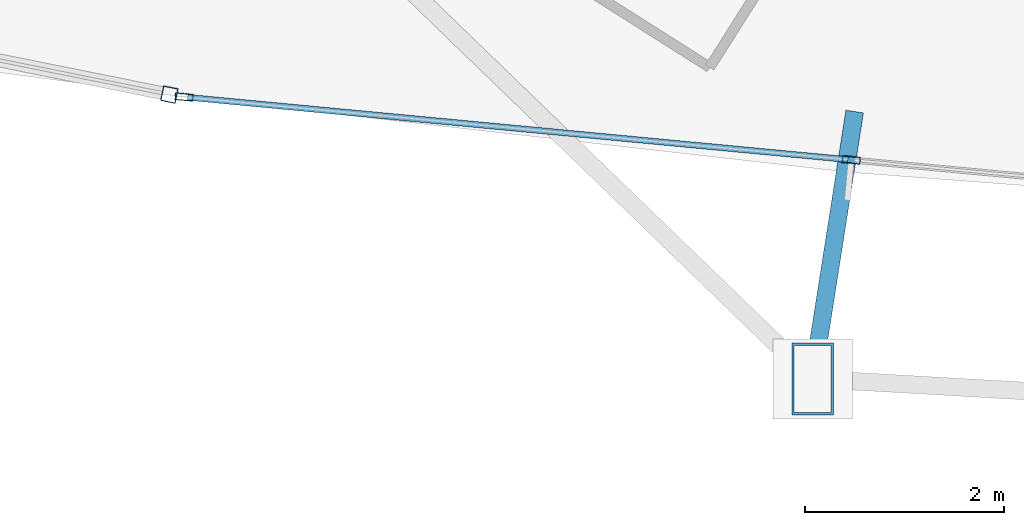
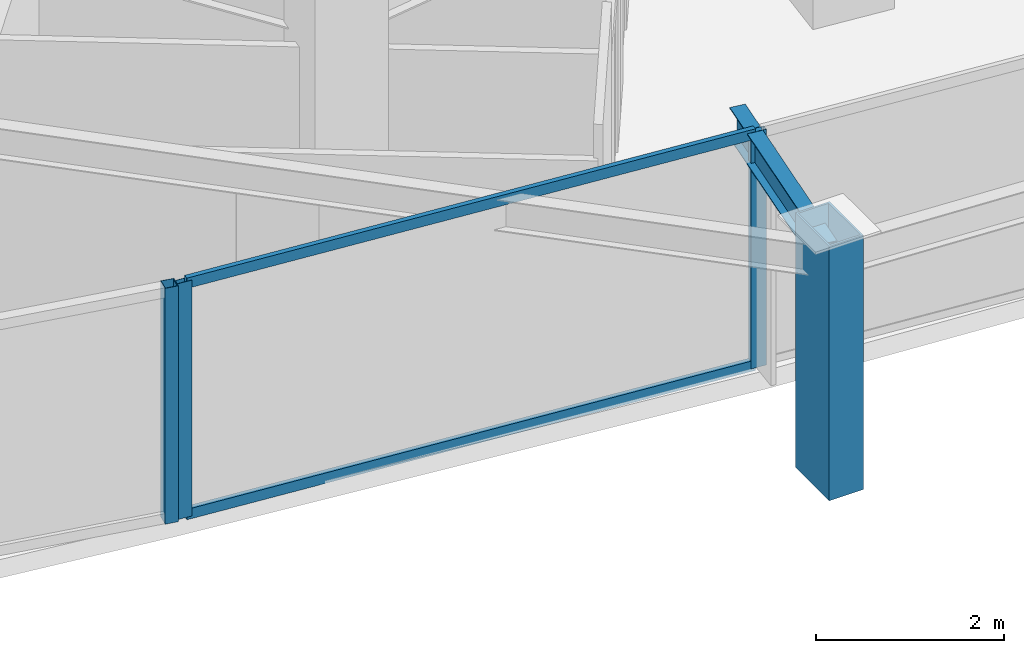
# One storey, part 4 of 35: 6 members, 1 beam, 2 elements without a shape of their own.
"""IFC4 building model written with IfcOpenShell, lengths in metres."""

from ifc_helpers import new_model, si_unit, direction, frame, origin, origin_2d, place, context, subcontext, project, spatial, hollow_rectangle, i_section, extrude, material, layer, layer_set, material_profile, profile_set, type_object, element, aggregate, save


model = new_model("IFC4")

# Units and contexts
model_context = context("Model", 3, precision=1e-05, world=origin(), true_north=direction((0.0, 1.0)))
body_context = subcontext(model_context, "Body", "Model", "MODEL_VIEW")
ifc_project = project(units=[si_unit("LENGTHUNIT", "METRE"), si_unit("AREAUNIT", "SQUARE_METRE"), si_unit("VOLUMEUNIT", "CUBIC_METRE"), si_unit("PLANEANGLEUNIT", "RADIAN"), si_unit("MASSUNIT", "GRAM", prefix="KILO")], contexts=[model_context])

# Site, building, storey
site_placement = place(None, origin())
site = spatial("IfcSite", under=ifc_project, at=site_placement, CompositionType="ELEMENT")
building_placement = place(site_placement, origin())
building = spatial("IfcBuilding", under=site, at=building_placement, Name="Orvanel Arch Residences", CompositionType="ELEMENT")
storey_placement = place(building_placement, frame((0.0, 0.0, 30.199951171875)))
storey = spatial("IfcBuildingStorey", under=building, at=storey_placement, Name="L07", CompositionType="ELEMENT", Elevation=30.199951171875)

# Member
ifc_material_1 = material(Name="Structural steel AS/NZS 3678 Grade 350", Category="steel")
ifc_material_profile_1 = material_profile(ifc_material_1, hollow_rectangle(XDim=0.419921875, YDim=0.719970703125, WallThickness=0.02490234375, at=origin_2d()), Name="RHS720x420x25")
ifc_profile_set_1 = profile_set([ifc_material_profile_1], Name="Structural steel AS/NZS 3678 Grade 350")
member_type_1 = type_object("IfcMemberType", Name="CH-720RHS-EXT", PredefinedType="CHORD", material=ifc_profile_set_1)
member_1_placement = place(storey_placement, frame((19.125, -0.35595703125, 0.0), z_axis=(0.0, 0.0, 1.0), x_axis=(1.0, 0.0, 0.0)))
element("IfcMember", 1, at=member_1_placement, inside=storey, type_object=member_type_1, Name="L07 Outer Perimeter Frame Post 05", PredefinedType="CHORD", context=body_context, shape_type="SweptSolid", body=[
    extrude(hollow_rectangle(XDim=0.419921875, YDim=0.719970703125, WallThickness=0.02490234375, at=origin_2d()), origin(), (0.0, 0.0, 1.0), 3.300048828125),
])

# Curtain wall, member
ifc_material_2 = material(Name="Bronze-anodised aluminium AA6063-T6", Category="aluminium")
ifc_layer_1 = layer(ifc_material_2, 0.18994140625)
ifc_layer_set_1 = layer_set([ifc_layer_1], Name="Bronze-anodised aluminium AA6063-T6")
curtain_wall_type_1 = type_object("IfcCurtainWallType", Name="CW5-CRN-SYS", PredefinedType="NOTDEFINED", material=ifc_layer_set_1)
curtain_wall_1_placement = place(storey_placement, origin())
curtain_wall_1 = element("IfcCurtainWall", 2, at=curtain_wall_1_placement, inside=storey, type_object=curtain_wall_type_1, Name="L07 CW5-CRN-SYS Unitised Curtain Wall", PredefinedType="NOTDEFINED")
ifc_material_profile_2 = material_profile(ifc_material_2, hollow_rectangle(XDim=0.14990234375, YDim=0.14990234375, WallThickness=0.0048828125, at=origin_2d()), Name="ALU150x150x5")
ifc_profile_set_2 = profile_set([ifc_material_profile_2], Name="Bronze-anodised aluminium AA6063-T6")
member_type_2 = type_object("IfcMemberType", Name="MUL-150x150", PredefinedType="MULLION", material=ifc_profile_set_2)
member_2_placement = place(storey_placement, frame((12.673583984375, 2.494873046875, 0.0), z_axis=(0.0, 0.0, 1.0), x_axis=(0.197038556687, 0.980395740086, 0.0)))
member_2 = element("IfcMember", 3, at=member_2_placement, type_object=member_type_2, Name="CW-S5 mullion 3", PredefinedType="MULLION", context=body_context, shape_type="SweptSolid", body=[
    extrude(hollow_rectangle(XDim=0.14990234375, YDim=0.14990234375, WallThickness=0.0048828125, at=origin_2d()), origin(), (0.0, 0.0, 1.0), 3.06005859375),
])
aggregate(curtain_wall_1, [member_2])

# Curtain wall, members
ifc_layer_2 = layer(ifc_material_2, 0.179931640625)
ifc_layer_set_2 = layer_set([ifc_layer_2], Name="Bronze-anodised aluminium AA6063-T6")
curtain_wall_type_2 = type_object("IfcCurtainWallType", Name="CW2-LOW-SYS", PredefinedType="NOTDEFINED", material=ifc_layer_set_2)
curtain_wall_2_placement = place(storey_placement, origin())
curtain_wall_2 = element("IfcCurtainWall", 4, at=curtain_wall_2_placement, inside=storey, type_object=curtain_wall_type_2, Name="L07 CW2-LOW-SYS Unitised Curtain Wall", PredefinedType="NOTDEFINED")
ifc_material_profile_3 = material_profile(ifc_material_2, hollow_rectangle(XDim=0.070068359375, YDim=0.179931640625, WallThickness=0.00439453125, at=origin_2d()), Name="ALU180x70x4.5")
ifc_profile_set_3 = profile_set([ifc_material_profile_3], Name="Bronze-anodised aluminium AA6063-T6")
member_type_3 = type_object("IfcMemberType", Name="MUL-180x70", PredefinedType="MULLION", material=ifc_profile_set_3)
member_3_placement = place(storey_placement, frame((12.82177734375, 2.470703125, 0.0), z_axis=(0.0, 0.0, 1.0), x_axis=(0.093865833683, 0.995584855885, 0.0)))
member_3 = element("IfcMember", 5, at=member_3_placement, type_object=member_type_3, Name="CW-S2 mullion 1", PredefinedType="MULLION", context=body_context, shape_type="SweptSolid", body=[
    extrude(hollow_rectangle(XDim=0.070068359375, YDim=0.179931640625, WallThickness=0.00439453125, at=origin_2d()), origin(), (0.0, 0.0, 1.0), 3.06005859375),
])
member_4_placement = place(storey_placement, frame((19.511474609375, 1.840087890625, 0.0), z_axis=(0.0, 0.0, 1.0), x_axis=(0.093865833683, 0.995584855885, 0.0)))
member_4 = element("IfcMember", 6, at=member_4_placement, type_object=member_type_3, Name="CW-S2 mullion 2", PredefinedType="MULLION", context=body_context, shape_type="SweptSolid", body=[
    extrude(hollow_rectangle(XDim=0.070068359375, YDim=0.179931640625, WallThickness=0.00439453125, at=origin_2d()), origin(), (0.0, 0.0, 1.0), 3.06005859375),
])

# Beam
ifc_material_3 = material(Name="Structural steel AS/NZS 3679.1 Grade 300 (300 MPa)", Category="steel")
ifc_material_profile_4 = material_profile(ifc_material_3, i_section(OverallWidth=0.177978515625, OverallDepth=0.406005859375, WebThickness=0.0078125, FlangeThickness=0.0126953125, at=origin_2d()), Name="410UB59.7")
ifc_profile_set_4 = profile_set([ifc_material_profile_4], Name="Structural steel AS/NZS 3679.1 Grade 300 (300 MPa)")
beam_type = type_object("IfcBeamType", Name="OB-410UB-EXT", PredefinedType="SPANDREL", material=ifc_profile_set_4)
beam_placement = place(storey_placement, frame((19.5458984375, 2.324951171875, 2.85693359375), z_axis=(-0.155098612509, -0.987898993014, 0.0), x_axis=(0.987898993014, -0.155098612509, 0.0)))
element("IfcBeam", 7, at=beam_placement, inside=storey, type_object=beam_type, Name="L07 Outer Frame Radial Tie Beam 05", PredefinedType="SPANDREL", context=body_context, shape_type="SweptSolid", body=[
    extrude(i_section(OverallWidth=0.177978515625, OverallDepth=0.406005859375, WebThickness=0.0078125, FlangeThickness=0.0126953125, at=origin_2d()), origin(), (0.0, 0.0, 1.0), 2.7138671875),
])

# Member
ifc_material_profile_5 = material_profile(ifc_material_2, hollow_rectangle(XDim=0.06005859375, YDim=0.135009765625, WallThickness=0.00390625, at=origin_2d()), Name="ALU135x60x4")
ifc_profile_set_5 = profile_set([ifc_material_profile_5], Name="Bronze-anodised aluminium AA6063-T6")
member_type_4 = type_object("IfcMemberType", Name="TRN-135x60", PredefinedType="USERDEFINED", material=ifc_profile_set_5)
member_5_placement = place(storey_placement, frame((12.856689453125, 2.467529296875, 0.030029296875), z_axis=(0.99558300012, -0.093885514708, 0.0), x_axis=(0.093885514708, 0.99558300012, 0.0)))
member_5 = element("IfcMember", 8, at=member_5_placement, type_object=member_type_4, Name="CW-S2 transom 1.1", ObjectType="TRANSOM", PredefinedType="USERDEFINED", context=body_context, shape_type="SweptSolid", body=[
    extrude(hollow_rectangle(XDim=0.06005859375, YDim=0.135009765625, WallThickness=0.00390625, at=origin_2d()), origin(), (0.0, 0.0, 1.0), 6.649169921875),
])

member_6_placement = place(storey_placement, frame((12.856689453125, 2.467529296875, 3.030029296875), z_axis=(0.99558300012, -0.093885514708, 0.0), x_axis=(0.093885514708, 0.99558300012, 0.0)))
member_6 = element("IfcMember", 9, at=member_6_placement, type_object=member_type_4, Name="CW-S2 transom 1.2", ObjectType="TRANSOM", PredefinedType="USERDEFINED", context=body_context, shape_type="SweptSolid", body=[
    extrude(hollow_rectangle(XDim=0.06005859375, YDim=0.135009765625, WallThickness=0.00390625, at=origin_2d()), origin(), (0.0, 0.0, 1.0), 6.649169921875),
])

aggregate(curtain_wall_2, [member_3, member_4, member_5, member_6])

save(model, "model.ifc")
